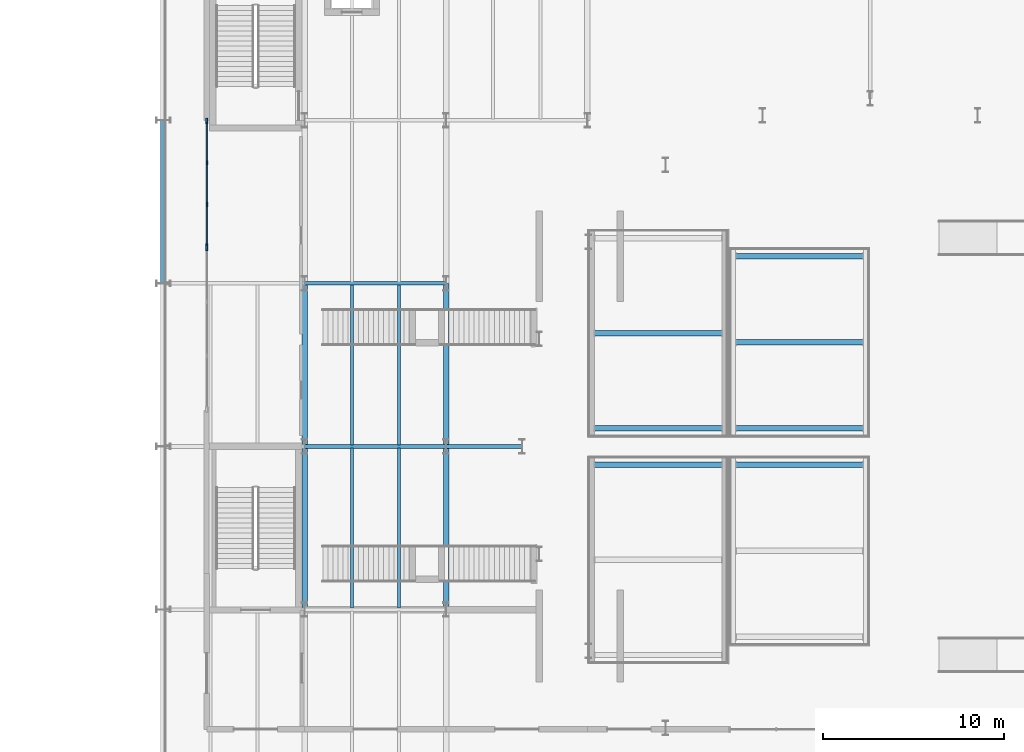
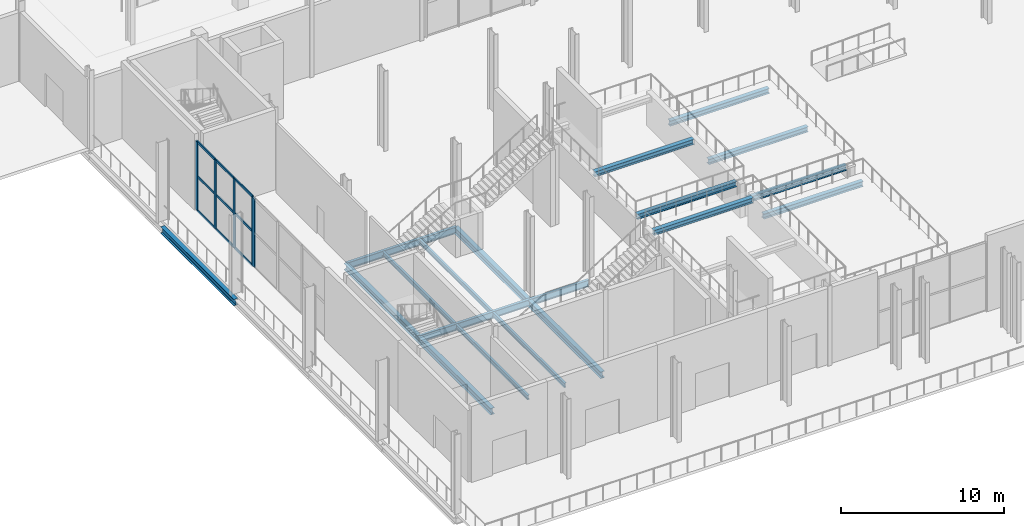
# One storey, part 19 of 84: 19 beams, 14 members, 2 elements without a shape of their own.
"""IFC4 building model written with IfcOpenShell, lengths in metres."""

from ifc_helpers import new_model, si_unit, direction, frame, origin, origin_2d, place, context, subcontext, project, spatial, rectangle, i_section, extrude, material, layer, layer_set, material_profile, profile_set, type_object, element, aggregate, save


model = new_model("IFC4")

# Units and contexts
model_context = context("Model", 3, precision=1e-05, world=origin(), true_north=direction((0.0, 1.0)))
body_context = subcontext(model_context, "Body", "Model", "MODEL_VIEW")
ifc_project = project(units=[si_unit("LENGTHUNIT", "METRE"), si_unit("AREAUNIT", "SQUARE_METRE"), si_unit("VOLUMEUNIT", "CUBIC_METRE"), si_unit("PLANEANGLEUNIT", "RADIAN"), si_unit("MASSUNIT", "GRAM", prefix="KILO")], contexts=[model_context])

# Site, building, storey
site_placement = place(None, origin())
site = spatial("IfcSite", under=ifc_project, at=site_placement, CompositionType="ELEMENT")
building_placement = place(site_placement, origin())
building = spatial("IfcBuilding", under=site, at=building_placement, Name="Sefraquen Railside Congress Hotel", CompositionType="ELEMENT")
storey_placement = place(building_placement, origin())
storey = spatial("IfcBuildingStorey", under=building, at=storey_placement, Name="L00", CompositionType="ELEMENT", Elevation=0.0)

# Beams
ifc_material_1 = material(Name="Steel S355JR", Category="steel")
ifc_material_profile_1 = material_profile(ifc_material_1, i_section(OverallWidth=0.300048828125, OverallDepth=0.389892578125, WebThickness=0.010986328125, FlangeThickness=0.01904296875, FilletRadius=0.027099609375, at=origin_2d()), Name="HEA 400")
ifc_profile_set_1 = profile_set([ifc_material_profile_1], Name="Steel S355JR")
beam_type_1 = type_object("IfcBeamType", Name="TB-BM-400", PredefinedType="BEAM", material=ifc_profile_set_1)
for number, where, z_axis, x_axis, name in (
    (1, (56.77490234375, 26.0, 0.844970703125), (1.0, 0.0, 0.0), (0.0, 1.0, 0.0), "Congress Hall RAKER beam L00-01B"),
    (2, (56.77490234375, 28.0, 0.844970703125), (1.0, 0.0, 0.0), (0.0, 1.0, 0.0), "Congress Hall RAKER beam L00-02A"),
    (3, (56.77490234375, 32.75, 0.844970703125), (1.0, 0.0, 0.0), (0.0, 1.0, 0.0), "Congress Hall RAKER beam L00-02M"),
    (4, (56.77490234375, 37.5, 0.844970703125), (1.0, 0.0, 0.0), (0.0, 1.0, 0.0), "Congress Hall RAKER beam L00-02B"),
):
    element("IfcBeam", number, at=place(storey_placement, frame(where, z_axis=z_axis, x_axis=x_axis)), inside=storey, type_object=beam_type_1, Name=name, PredefinedType="BEAM", context=body_context, shape_type="SweptSolid", body=[
        extrude(i_section(OverallWidth=0.300048828125, OverallDepth=0.389892578125, WebThickness=0.010986328125, FlangeThickness=0.01904296875, FilletRadius=0.027099609375, at=origin_2d()), origin(), (0.0, 0.0, 1.0), 7.050048828125),
    ])
for number, where, z_axis, x_axis, name in (
    (5, (48.97509765625, 26.0, 2.344970703125), (1.0, 0.0, 0.0), (0.0, 1.0, 0.0), "Congress Hall RAKER beam L00-03B"),
    (6, (48.97509765625, 28.0, 2.344970703125), (1.0, 0.0, 0.0), (0.0, 1.0, 0.0), "Congress Hall RAKER beam L00-04A"),
    (7, (48.97509765625, 33.25, 2.344970703125), (1.0, 0.0, 0.0), (0.0, 1.0, 0.0), "Congress Hall RAKER beam L00-04M"),
):
    element("IfcBeam", number, at=place(storey_placement, frame(where, z_axis=z_axis, x_axis=x_axis)), inside=storey, type_object=beam_type_1, Name=name, PredefinedType="BEAM", context=body_context, shape_type="SweptSolid", body=[
        extrude(i_section(OverallWidth=0.300048828125, OverallDepth=0.389892578125, WebThickness=0.010986328125, FlangeThickness=0.01904296875, FilletRadius=0.027099609375, at=origin_2d()), origin(), (0.0, 0.0, 1.0), 7.0498046875),
    ])
ifc_material_profile_2 = material_profile(ifc_material_1, i_section(OverallWidth=0.199951171875, OverallDepth=0.5, WebThickness=0.01025390625, FlangeThickness=0.01611328125, FilletRadius=0.02099609375, at=origin_2d()), Name="IPE 500")
ifc_profile_set_2 = profile_set([ifc_material_profile_2], Name="Steel S355JR")
beam_type_2 = type_object("IfcBeamType", Name="TB-BM-500", PredefinedType="BEAM", material=ifc_profile_set_2)
beam_1_placement = place(storey_placement, frame((33.0, 27.0, -0.64990234375), z_axis=(1.0, 0.0, 0.0), x_axis=(0.0, 1.0, 0.0)))
element("IfcBeam", 8, at=beam_1_placement, inside=storey, type_object=beam_type_2, Name="Primary girder BM-L00-0028", PredefinedType="BEAM", context=body_context, shape_type="SweptSolid", body=[
    extrude(i_section(OverallWidth=0.199951171875, OverallDepth=0.5, WebThickness=0.01025390625, FlangeThickness=0.01611328125, FilletRadius=0.02099609375, at=origin_2d()), origin(), (0.0, 0.0, 1.0), 7.800048828125),
])
beam_2_placement = place(storey_placement, frame((40.800048828125, 27.0, -0.64990234375), z_axis=(1.0, 0.0, 0.0), x_axis=(0.0, 1.0, 0.0)))
element("IfcBeam", 9, at=beam_2_placement, inside=storey, type_object=beam_type_2, Name="Primary girder BM-L00-0029", PredefinedType="BEAM", context=body_context, shape_type="SweptSolid", body=[
    extrude(i_section(OverallWidth=0.199951171875, OverallDepth=0.5, WebThickness=0.01025390625, FlangeThickness=0.01611328125, FilletRadius=0.02099609375, at=origin_2d()), origin(), (0.0, 0.0, 1.0), 4.199951171875),
])
beam_3_placement = place(storey_placement, frame((33.0, 36.0, -0.64990234375), z_axis=(1.0, 0.0, 0.0), x_axis=(0.0, 1.0, 0.0)))
element("IfcBeam", 10, at=beam_3_placement, inside=storey, type_object=beam_type_2, Name="Primary girder BM-L00-0035", PredefinedType="BEAM", context=body_context, shape_type="SweptSolid", body=[
    extrude(i_section(OverallWidth=0.199951171875, OverallDepth=0.5, WebThickness=0.01025390625, FlangeThickness=0.01611328125, FilletRadius=0.02099609375, at=origin_2d()), origin(), (0.0, 0.0, 1.0), 7.800048828125),
])
ifc_material_profile_3 = material_profile(ifc_material_1, i_section(OverallWidth=0.300048828125, OverallDepth=0.489990234375, WebThickness=0.011962890625, FlangeThickness=0.02294921875, FilletRadius=0.027099609375, at=origin_2d()), Name="HEA 500")
ifc_profile_set_3 = profile_set([ifc_material_profile_3], Name="Steel S355JR")
beam_type_3 = type_object("IfcBeamType", Name="TB-GIR-500", PredefinedType="T_BEAM", material=ifc_profile_set_3)
for number, where, z_axis, x_axis, name in (
    (11, (25.199951171875, 36.0, -0.64501953125), (0.0, 1.0, 0.0), (-1.0, 0.0, 0.0), "Floor beam BM-L00-0191"),
    (12, (33.0, 18.0, -0.64501953125), (0.0, 1.0, 0.0), (-1.0, 0.0, 0.0), "Floor beam BM-L00-0202"),
    (13, (33.0, 27.0, -0.64501953125), (0.0, 1.0, 0.0), (-1.0, 0.0, 0.0), "Floor beam BM-L00-0203"),
    (14, (40.800048828125, 18.0, -0.64501953125), (0.0, 1.0, 0.0), (-1.0, 0.0, 0.0), "Floor beam BM-L00-0215"),
    (15, (40.800048828125, 27.0, -0.64501953125), (0.0, 1.0, 0.0), (-1.0, 0.0, 0.0), "Floor beam BM-L00-0216"),
):
    element("IfcBeam", number, at=place(storey_placement, frame(where, z_axis=z_axis, x_axis=x_axis)), inside=storey, type_object=beam_type_3, Name=name, PredefinedType="T_BEAM", context=body_context, shape_type="SweptSolid", body=[
        extrude(i_section(OverallWidth=0.300048828125, OverallDepth=0.489990234375, WebThickness=0.011962890625, FlangeThickness=0.02294921875, FilletRadius=0.027099609375, at=origin_2d()), origin(), (0.0, 0.0, 1.0), 9.0),
    ])
ifc_material_profile_4 = material_profile(ifc_material_1, i_section(OverallWidth=0.159912109375, OverallDepth=0.330078125, WebThickness=0.007568359375, FlangeThickness=0.011474609375, FilletRadius=0.01806640625, at=origin_2d()), Name="IPE 330")
ifc_profile_set_4 = profile_set([ifc_material_profile_4], Name="Steel S355JR")
beam_type_4 = type_object("IfcBeamType", Name="TB-JST-330", PredefinedType="JOIST", material=ifc_profile_set_4)
for number, where, z_axis, x_axis, name in (
    (16, (35.60009765625, 18.080078125, -0.56494140625), (0.0, 1.0, 0.0), (-1.0, 0.0, 0.0), "Composite floor joist BM-L00-J0046"),
    (17, (38.199951171875, 18.080078125, -0.56494140625), (0.0, 1.0, 0.0), (-1.0, 0.0, 0.0), "Composite floor joist BM-L00-J0047"),
    (18, (35.60009765625, 27.080078125, -0.56494140625), (0.0, 1.0, 0.0), (-1.0, 0.0, 0.0), "Composite floor joist BM-L00-J0048"),
    (19, (38.199951171875, 27.080078125, -0.56494140625), (0.0, 1.0, 0.0), (-1.0, 0.0, 0.0), "Composite floor joist BM-L00-J0049"),
):
    element("IfcBeam", number, at=place(storey_placement, frame(where, z_axis=z_axis, x_axis=x_axis)), inside=storey, type_object=beam_type_4, Name=name, PredefinedType="JOIST", context=body_context, shape_type="SweptSolid", body=[
        extrude(i_section(OverallWidth=0.159912109375, OverallDepth=0.330078125, WebThickness=0.007568359375, FlangeThickness=0.011474609375, FilletRadius=0.01806640625, at=origin_2d()), origin(), (0.0, 0.0, 1.0), 8.83984375),
    ])

# Curtain wall, members
ifc_material_2 = material(Name="Thermally broken anodised aluminium and low-E double glazing", Category="aluminium")
ifc_layer_1 = layer(ifc_material_2, 0.199951171875)
ifc_layer_set_1 = layer_set([ifc_layer_1], Name="Thermally broken anodised aluminium and low-E double glazing")
curtain_wall_type_1 = type_object("IfcCurtainWallType", Name="TCW-UCW-05", PredefinedType="USERDEFINED", material=ifc_layer_set_1)
curtain_wall_1_placement = place(storey_placement, origin())
curtain_wall_1 = element("IfcCurtainWall", 20, at=curtain_wall_1_placement, inside=storey, type_object=curtain_wall_type_1, Name="Congress west colonnade curtain wall UCW-05", ObjectType="UNITISED CURTAIN WALL", PredefinedType="USERDEFINED")
ifc_material_3 = material(Name="Thermally broken anodised aluminium 6063-T6", Category="aluminium")
ifc_material_profile_5 = material_profile(ifc_material_3, rectangle(XDim=0.080078125, YDim=0.239990234375, at=origin_2d()), Name="CWM 80x240")
ifc_profile_set_5 = profile_set([ifc_material_profile_5], Name="Thermally broken anodised aluminium 6063-T6")
member_type_1 = type_object("IfcMemberType", Name="TM-CWM-05", PredefinedType="MULLION", material=ifc_profile_set_5)
member_1_placement = place(storey_placement, frame((27.60009765625, 40.3466796875, 0.0), z_axis=(0.0, 0.0, 1.0), x_axis=(1.0, 0.0, 0.0)))
member_1 = element("IfcMember", 21, at=member_1_placement, type_object=member_type_1, Name="CW-L00-005 mullion 2", PredefinedType="MULLION", context=body_context, shape_type="SweptSolid", body=[
    extrude(rectangle(XDim=0.080078125, YDim=0.239990234375, at=origin_2d()), origin(), (0.0, 0.0, 1.0), 5.14990234375),
])
member_2_placement = place(storey_placement, frame((27.60009765625, 42.6533203125, 0.0), z_axis=(0.0, 0.0, 1.0), x_axis=(1.0, 0.0, 0.0)))
member_2 = element("IfcMember", 22, at=member_2_placement, type_object=member_type_1, Name="CW-L00-005 mullion 3", PredefinedType="MULLION", context=body_context, shape_type="SweptSolid", body=[
    extrude(rectangle(XDim=0.080078125, YDim=0.239990234375, at=origin_2d()), origin(), (0.0, 0.0, 1.0), 5.14990234375),
])

# Curtain wall, member
ifc_layer_2 = layer(ifc_material_2, 0.199951171875)
ifc_layer_set_2 = layer_set([ifc_layer_2], Name="Thermally broken anodised aluminium and low-E double glazing")
curtain_wall_type_2 = type_object("IfcCurtainWallType", Name="TCW-UCW-04", PredefinedType="USERDEFINED", material=ifc_layer_set_2)
curtain_wall_2_placement = place(storey_placement, origin())
curtain_wall_2 = element("IfcCurtainWall", 23, at=curtain_wall_2_placement, inside=storey, type_object=curtain_wall_type_2, Name="Congress west colonnade curtain wall UCW-04", ObjectType="UNITISED CURTAIN WALL", PredefinedType="USERDEFINED")
ifc_material_profile_6 = material_profile(ifc_material_3, rectangle(XDim=0.094970703125, YDim=0.300048828125, at=origin_2d()), Name="CWM 95x300")
ifc_profile_set_6 = profile_set([ifc_material_profile_6], Name="Thermally broken anodised aluminium 6063-T6")
member_type_2 = type_object("IfcMemberType", Name="TM-CWM-08", PredefinedType="MULLION", material=ifc_profile_set_6)
member_3_placement = place(storey_placement, frame((27.60009765625, 37.9599609375, 0.0), z_axis=(0.0, 0.0, 1.0), x_axis=(1.0, 0.0, 0.0)))
member_3 = element("IfcMember", 24, at=member_3_placement, type_object=member_type_2, Name="CW-L00-004 mullion 4", PredefinedType="MULLION", context=body_context, shape_type="SweptSolid", body=[
    extrude(rectangle(XDim=0.094970703125, YDim=0.300048828125, at=origin_2d()), origin(), (0.0, 0.0, 1.0), 5.14990234375),
])
aggregate(curtain_wall_2, [member_3])

# Member
member_4_placement = place(storey_placement, frame((27.60009765625, 38.0400390625, 0.0), z_axis=(0.0, 0.0, 1.0), x_axis=(1.0, 0.0, 0.0)))
member_4 = element("IfcMember", 25, at=member_4_placement, type_object=member_type_2, Name="CW-L00-005 mullion 1", PredefinedType="MULLION", context=body_context, shape_type="SweptSolid", body=[
    extrude(rectangle(XDim=0.094970703125, YDim=0.300048828125, at=origin_2d()), origin(), (0.0, 0.0, 1.0), 5.14990234375),
])

member_5_placement = place(storey_placement, frame((27.60009765625, 44.9599609375, 0.0), z_axis=(0.0, 0.0, 1.0), x_axis=(1.0, 0.0, 0.0)))
member_5 = element("IfcMember", 26, at=member_5_placement, type_object=member_type_2, Name="CW-L00-005 mullion 4", PredefinedType="MULLION", context=body_context, shape_type="SweptSolid", body=[
    extrude(rectangle(XDim=0.094970703125, YDim=0.300048828125, at=origin_2d()), origin(), (0.0, 0.0, 1.0), 5.14990234375),
])

ifc_material_profile_7 = material_profile(ifc_material_3, rectangle(XDim=0.080078125, YDim=0.179931640625, at=origin_2d()), Name="CWT 80x180")
ifc_profile_set_7 = profile_set([ifc_material_profile_7], Name="Thermally broken anodised aluminium 6063-T6")
member_type_3 = type_object("IfcMemberType", Name="TM-CWT-05", PredefinedType="USERDEFINED", material=ifc_profile_set_7)
member_6_placement = place(storey_placement, frame((27.60009765625, 38.0849609375, 0.0), z_axis=(0.0, 1.0, 0.0), x_axis=(-1.0, 0.0, 0.0)))
member_6 = element("IfcMember", 27, at=member_6_placement, type_object=member_type_3, Name="CW-L00-005 transom 1.1", ObjectType="TRANSOM", PredefinedType="USERDEFINED", context=body_context, shape_type="SweptSolid", body=[
    extrude(rectangle(XDim=0.080078125, YDim=0.179931640625, at=origin_2d()), origin(), (0.0, 0.0, 1.0), 2.216796875),
])

member_7_placement = place(storey_placement, frame((27.60009765625, 40.3916015625, 0.0), z_axis=(0.0, 1.0, 0.0), x_axis=(-1.0, 0.0, 0.0)))
member_7 = element("IfcMember", 28, at=member_7_placement, type_object=member_type_3, Name="CW-L00-005 transom 1.2", ObjectType="TRANSOM", PredefinedType="USERDEFINED", context=body_context, shape_type="SweptSolid", body=[
    extrude(rectangle(XDim=0.080078125, YDim=0.179931640625, at=origin_2d()), origin(), (0.0, 0.0, 1.0), 2.216796875),
])

member_8_placement = place(storey_placement, frame((27.60009765625, 42.6982421875, 0.0), z_axis=(0.0, 1.0, 0.0), x_axis=(-1.0, 0.0, 0.0)))
member_8 = element("IfcMember", 29, at=member_8_placement, type_object=member_type_3, Name="CW-L00-005 transom 1.3", ObjectType="TRANSOM", PredefinedType="USERDEFINED", context=body_context, shape_type="SweptSolid", body=[
    extrude(rectangle(XDim=0.080078125, YDim=0.179931640625, at=origin_2d()), origin(), (0.0, 0.0, 1.0), 2.216796875),
])

member_9_placement = place(storey_placement, frame((27.60009765625, 38.0849609375, 2.574951171875), z_axis=(0.0, 1.0, 0.0), x_axis=(-1.0, 0.0, 0.0)))
member_9 = element("IfcMember", 30, at=member_9_placement, type_object=member_type_3, Name="CW-L00-005 transom 2.1", ObjectType="TRANSOM", PredefinedType="USERDEFINED", context=body_context, shape_type="SweptSolid", body=[
    extrude(rectangle(XDim=0.080078125, YDim=0.179931640625, at=origin_2d()), origin(), (0.0, 0.0, 1.0), 2.216796875),
])

member_10_placement = place(storey_placement, frame((27.60009765625, 40.3916015625, 2.574951171875), z_axis=(0.0, 1.0, 0.0), x_axis=(-1.0, 0.0, 0.0)))
member_10 = element("IfcMember", 31, at=member_10_placement, type_object=member_type_3, Name="CW-L00-005 transom 2.2", ObjectType="TRANSOM", PredefinedType="USERDEFINED", context=body_context, shape_type="SweptSolid", body=[
    extrude(rectangle(XDim=0.080078125, YDim=0.179931640625, at=origin_2d()), origin(), (0.0, 0.0, 1.0), 2.216796875),
])

member_11_placement = place(storey_placement, frame((27.60009765625, 42.6982421875, 2.574951171875), z_axis=(0.0, 1.0, 0.0), x_axis=(-1.0, 0.0, 0.0)))
member_11 = element("IfcMember", 32, at=member_11_placement, type_object=member_type_3, Name="CW-L00-005 transom 2.3", ObjectType="TRANSOM", PredefinedType="USERDEFINED", context=body_context, shape_type="SweptSolid", body=[
    extrude(rectangle(XDim=0.080078125, YDim=0.179931640625, at=origin_2d()), origin(), (0.0, 0.0, 1.0), 2.216796875),
])

member_12_placement = place(storey_placement, frame((27.60009765625, 38.0849609375, 5.14990234375), z_axis=(0.0, 1.0, 0.0), x_axis=(-1.0, 0.0, 0.0)))
member_12 = element("IfcMember", 33, at=member_12_placement, type_object=member_type_3, Name="CW-L00-005 transom 3.1", ObjectType="TRANSOM", PredefinedType="USERDEFINED", context=body_context, shape_type="SweptSolid", body=[
    extrude(rectangle(XDim=0.080078125, YDim=0.179931640625, at=origin_2d()), origin(), (0.0, 0.0, 1.0), 2.216796875),
])

member_13_placement = place(storey_placement, frame((27.60009765625, 40.3916015625, 5.14990234375), z_axis=(0.0, 1.0, 0.0), x_axis=(-1.0, 0.0, 0.0)))
member_13 = element("IfcMember", 34, at=member_13_placement, type_object=member_type_3, Name="CW-L00-005 transom 3.2", ObjectType="TRANSOM", PredefinedType="USERDEFINED", context=body_context, shape_type="SweptSolid", body=[
    extrude(rectangle(XDim=0.080078125, YDim=0.179931640625, at=origin_2d()), origin(), (0.0, 0.0, 1.0), 2.216796875),
])

member_14_placement = place(storey_placement, frame((27.60009765625, 42.6982421875, 5.14990234375), z_axis=(0.0, 1.0, 0.0), x_axis=(-1.0, 0.0, 0.0)))
member_14 = element("IfcMember", 35, at=member_14_placement, type_object=member_type_3, Name="CW-L00-005 transom 3.3", ObjectType="TRANSOM", PredefinedType="USERDEFINED", context=body_context, shape_type="SweptSolid", body=[
    extrude(rectangle(XDim=0.080078125, YDim=0.179931640625, at=origin_2d()), origin(), (0.0, 0.0, 1.0), 2.216796875),
])

aggregate(curtain_wall_1, [member_4, member_1, member_2, member_5, member_6, member_7, member_8, member_9, member_10, member_11, member_12, member_13, member_14])

save(model, "model.ifc")
